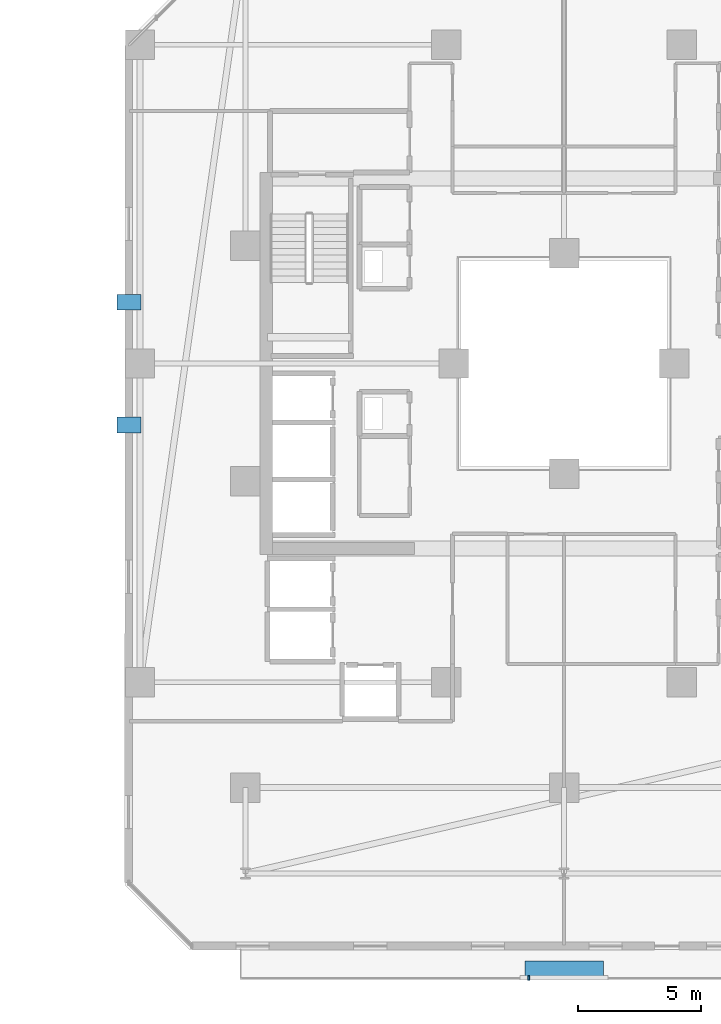
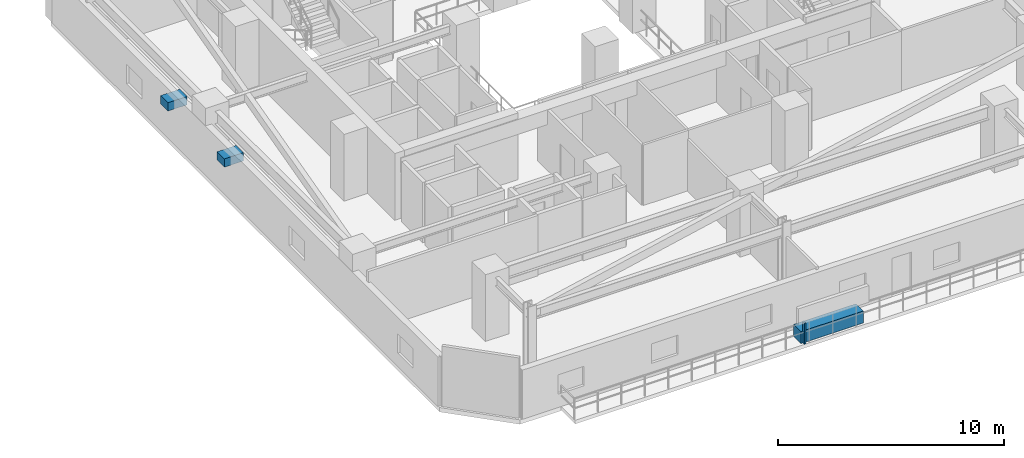
# One storey, part 28 of 34: 4 discrete accessories.
"""IFC4 building model written with IfcOpenShell, lengths in metres."""

from ifc_helpers import new_model, si_unit, direction, frame, origin, origin_2d, place, context, subcontext, project, spatial, rectangle, extrude, material, type_object, element, save


model = new_model("IFC4")

# Units and contexts
model_context = context("Model", 3, precision=1e-05, world=origin(), true_north=direction((0.0, 1.0)))
body_context = subcontext(model_context, "Body", "Model", "MODEL_VIEW")
ifc_project = project(units=[si_unit("LENGTHUNIT", "METRE"), si_unit("AREAUNIT", "SQUARE_METRE"), si_unit("VOLUMEUNIT", "CUBIC_METRE"), si_unit("PLANEANGLEUNIT", "RADIAN"), si_unit("MASSUNIT", "GRAM", prefix="KILO")], contexts=[model_context])

# Site, building, storey
site_placement = place(None, origin())
site = spatial("IfcSite", under=ifc_project, at=site_placement, CompositionType="ELEMENT")
building_placement = place(site_placement, origin())
building = spatial("IfcBuilding", under=site, at=building_placement, Name="Thornwick Lancets Civic Towers", CompositionType="ELEMENT")
storey_placement = place(building_placement, frame((0.0, 0.0, 137.699951171875)))
storey = spatial("IfcBuildingStorey", under=building, at=storey_placement, Name="L36", CompositionType="ELEMENT", Elevation=137.699951171875)

# Discrete accessories
ifc_material_1 = material(Name="Concrete C60/75", Category="concrete")
discrete_accessory_type_1 = type_object("IfcDiscreteAccessoryType", Name="ACC_CORBEL_SEAT", PredefinedType="BRACKET", material=ifc_material_1)
for number, where, z_axis, x_axis, name in (
    (1, (70.760009765625, 24.5, 1.88916015625), (0.0, 0.0, 1.0), (1.0, 0.0, 0.0), "L37 Skybridge Reinforced Concrete Sliding Bearing Corbel 1"),
    (2, (70.760009765625, 29.5, 1.88916015625), (0.0, 0.0, 1.0), (1.0, 0.0, 0.0), "L37 Skybridge Reinforced Concrete Sliding Bearing Corbel 2"),
):
    element("IfcDiscreteAccessory", number, at=place(storey_placement, frame(where, z_axis=z_axis, x_axis=x_axis)), inside=storey, type_object=discrete_accessory_type_1, Name=name, PredefinedType="BRACKET", context=body_context, shape_type="SweptSolid", body=[
        extrude(rectangle(XDim=0.97998046875, YDim=0.64990234375, at=origin_2d()), origin(), (0.0, 0.0, 1.0), 0.449951171875),
    ])
ifc_material_2 = material(Name="Planted terracotta greenery planter", Category="masonry")
discrete_accessory_type_2 = type_object("IfcDiscreteAccessoryType", Name="ACC_PLANTER_BOX", PredefinedType="USERDEFINED", material=ifc_material_2)
discrete_accessory_1_placement = place(storey_placement, frame((88.5, 2.300048828125, 0.0), z_axis=(0.0, 0.0, 1.0), x_axis=(1.0, 0.0, 0.0)))
element("IfcDiscreteAccessory", 3, at=discrete_accessory_1_placement, inside=storey, type_object=discrete_accessory_type_2, Name="L36 Tower B Balcony Greenery Planter S", ObjectType="PLANTER", PredefinedType="USERDEFINED", context=body_context, shape_type="SweptSolid", body=[
    extrude(rectangle(XDim=3.199951171875, YDim=0.64990234375, at=origin_2d()), origin(), (0.0, 0.0, 1.0), 0.64990234375),
])
ifc_material_3 = material(Name="Stainless steel S355", Category="steel")
discrete_accessory_type_3 = type_object("IfcDiscreteAccessoryType", Name="ACC_SCREEN_BRACKET", PredefinedType="BRACKET", material=ifc_material_3)
discrete_accessory_2_placement = place(storey_placement, frame((87.050048828125, 1.93994140625, 0.0), z_axis=(0.0, 0.0, 1.0), x_axis=(1.0, 0.0, 0.0)))
element("IfcDiscreteAccessory", 4, at=discrete_accessory_2_placement, inside=storey, type_object=discrete_accessory_type_3, Name="L36 Tower B Balcony Screen Stanchion Bracket S-1", PredefinedType="BRACKET", context=body_context, shape_type="SweptSolid", body=[
    extrude(rectangle(XDim=0.080078125, YDim=0.179931640625, at=origin_2d()), origin(), (0.0, 0.0, 1.0), 1.14990234375),
])

save(model, "model.ifc")
